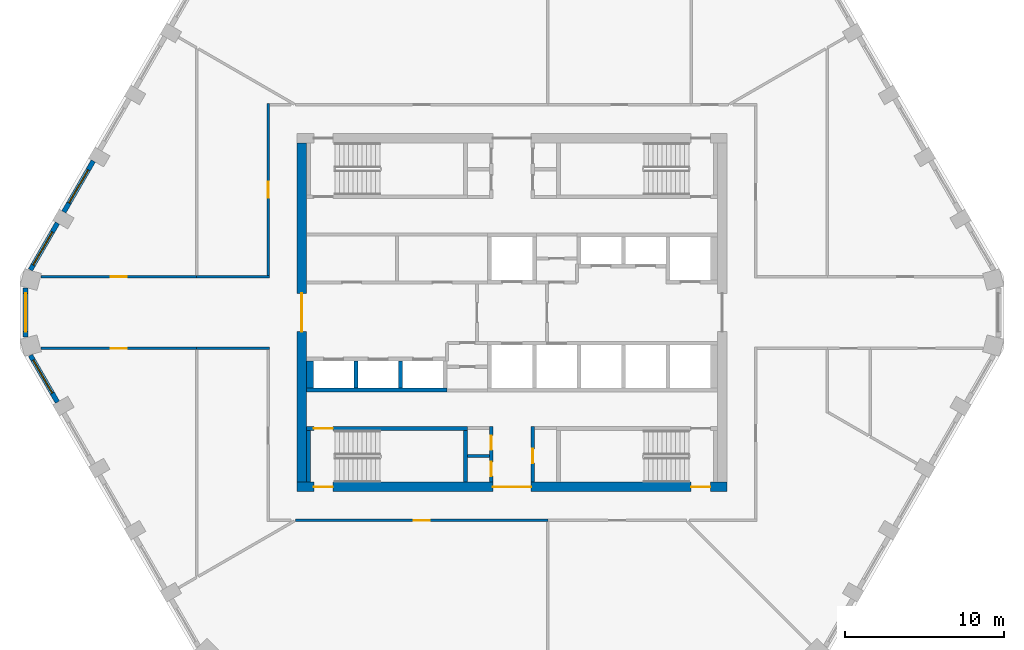
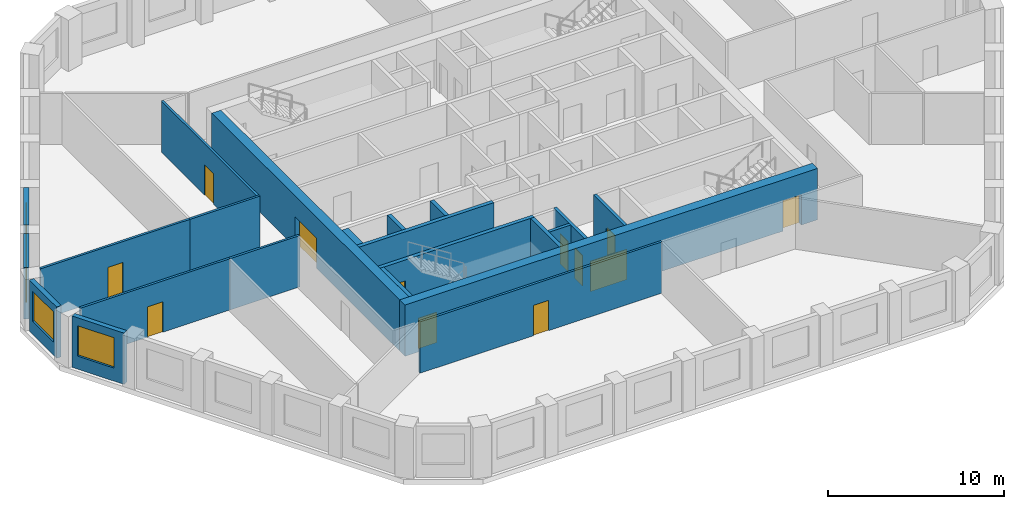
# One storey, part 2 of 8: 22 walls, 12 doors, 4 windows, 16 openings.
"""IFC4 building model written with IfcOpenShell, lengths in metres."""

from ifc_helpers import new_model, si_unit, direction, frame, frame_2d, origin, place, context, subcontext, project, spatial, polyline, rectangle, outline, extrude, material, layer, layer_set, type_object, element, fill, save


model = new_model("IFC4")

# Units and contexts
model_context = context("Model", 3, precision=1e-05, world=origin(), true_north=direction((0.0, 1.0)))
body_context = subcontext(model_context, "Body", "Model", "MODEL_VIEW")
ifc_project = project(units=[si_unit("LENGTHUNIT", "METRE"), si_unit("AREAUNIT", "SQUARE_METRE"), si_unit("VOLUMEUNIT", "CUBIC_METRE"), si_unit("PLANEANGLEUNIT", "RADIAN"), si_unit("MASSUNIT", "GRAM", prefix="KILO")], contexts=[model_context])

# Site, building, storey
site_placement = place(None, origin())
site = spatial("IfcSite", under=ifc_project, at=site_placement, CompositionType="ELEMENT")
building_placement = place(site_placement, origin())
building = spatial("IfcBuilding", under=site, at=building_placement, Name="Dhurran Vertical Campus", CompositionType="ELEMENT")
storey_placement = place(building_placement, frame((0.0, 0.0, 219.0)))
storey = spatial("IfcBuildingStorey", under=building, at=storey_placement, Name="L54", CompositionType="ELEMENT", Elevation=219.0)

# Wall, opening, window
ifc_material_1 = material(Name="Precast concrete C50/60", Category="concrete")
ifc_layer_1 = layer(ifc_material_1, 0.300048828125)
ifc_layer_set_1 = layer_set([ifc_layer_1], Name="Precast concrete C50/60")
wall_type_1 = type_object("IfcWallType", Name="Precast spandrel wall 300", PredefinedType="SOLIDWALL", material=ifc_layer_set_1)
wall_1_placement = place(storey_placement, frame((-26.294189453125, 9.5224609375, 0.0), z_axis=(0.0, 0.0, 1.0), x_axis=(-0.500029062817, -0.866008623709, 0.0)))
wall_1 = element("IfcWall", 1, at=wall_1_placement, inside=storey, type_object=wall_type_1, Name="EW1 L54.31", PredefinedType="SOLIDWALL", context=body_context, shape_type="SweptSolid", body=[
    extrude(rectangle(XDim=3.698974609375, YDim=0.300048828125, at=frame_2d((1.849609375, 0.0))), origin(), (0.0, 0.0, 1.0), 3.550048828125),
])
opening_1_placement = place(wall_1_placement, frame((0.6494140625, 0.0, 0.89990234375)))
opening_1 = element("IfcOpeningElement", 2, at=opening_1_placement, cuts=wall_1, Name="Opening WT1", PredefinedType="OPENING", context=body_context, shape_type="SweptSolid", body=[
    extrude(rectangle(XDim=2.39990234375, YDim=2.10009765625, at=frame_2d((1.199951171875, 1.050048828125))), frame((0.0, 0.159912109375, 0.0), z_axis=(0.0, -1.0, 0.0), x_axis=(1.0, 0.0, 0.0)), (0.0, 0.0, 1.0), 0.320068359375),
])
ifc_material_2 = material(Name="Aluminium frame with solar-control glass", Category="aluminium")
window_type = type_object("IfcWindowType", Name="Punched window 2400 x 2100", PartitioningType="SINGLE_PANEL", PredefinedType="WINDOW", material=ifc_material_2)
window_1_placement = place(opening_1_placement, origin())
window_1 = element("IfcWindow", 3, at=window_1_placement, inside=storey, type_object=window_type, Name="WT1 L54.31", OverallHeight=2.10009765625, OverallWidth=2.39990234375, PartitioningType="SINGLE_PANEL", PredefinedType="WINDOW", context=body_context, shape_type="SweptSolid", body=[
    extrude(rectangle(XDim=2.39990234375, YDim=2.10009765625, at=frame_2d((1.199951171875, 1.050048828125))), frame((0.0, 0.030029296875, 0.0), z_axis=(0.0, -1.0, 0.0), x_axis=(1.0, 0.0, 0.0)), (0.0, 0.0, 1.0), 0.06005859375),
])
fill(opening_1, window_1)

wall_2_placement = place(storey_placement, frame((-28.544189453125, 5.625244140625, 0.0), z_axis=(0.0, 0.0, 1.0), x_axis=(-0.500012868213, -0.866017974191, 0.0)))
wall_2 = element("IfcWall", 4, at=wall_2_placement, inside=storey, type_object=wall_type_1, Name="EW1 L54.32", PredefinedType="SOLIDWALL", context=body_context, shape_type="SweptSolid", body=[
    extrude(rectangle(XDim=3.39599609375, YDim=0.300048828125, at=frame_2d((1.697998046875, 0.0))), origin(), (0.0, 0.0, 1.0), 3.550048828125),
])
opening_2_placement = place(wall_2_placement, frame((0.6494140625, 0.0, 0.89990234375)))
opening_2 = element("IfcOpeningElement", 5, at=opening_2_placement, cuts=wall_2, Name="Opening WT1", PredefinedType="OPENING", context=body_context, shape_type="SweptSolid", body=[
    extrude(rectangle(XDim=2.39990234375, YDim=2.10009765625, at=frame_2d((1.199951171875, 1.050048828125))), frame((0.0, 0.159912109375, 0.0), z_axis=(0.0, -1.0, 0.0), x_axis=(1.0, 0.0, 0.0)), (0.0, 0.0, 1.0), 0.320068359375),
])
window_2_placement = place(opening_2_placement, origin())
window_2 = element("IfcWindow", 6, at=window_2_placement, inside=storey, type_object=window_type, Name="WT1 L54.32", OverallHeight=2.10009765625, OverallWidth=2.39990234375, PartitioningType="SINGLE_PANEL", PredefinedType="WINDOW", context=body_context, shape_type="SweptSolid", body=[
    extrude(rectangle(XDim=2.39990234375, YDim=2.10009765625, at=frame_2d((1.199951171875, 1.050048828125))), frame((0.0, 0.030029296875, 0.0), z_axis=(0.0, -1.0, 0.0), x_axis=(1.0, 0.0, 0.0)), (0.0, 0.0, 1.0), 0.06005859375),
])
fill(opening_2, window_2)

wall_3_placement = place(storey_placement, frame((-30.547119140625, 1.54638671875, 0.0), z_axis=(0.0, 0.0, 1.0), x_axis=(0.0, -1.0, 0.0)))
wall_3 = element("IfcWall", 7, at=wall_3_placement, inside=storey, type_object=wall_type_1, Name="EW1 L54.33", PredefinedType="SOLIDWALL", context=body_context, shape_type="SweptSolid", body=[
    extrude(rectangle(XDim=3.0927734375, YDim=0.300048828125, at=frame_2d((1.54638671875, 0.0))), origin(), (0.0, 0.0, 1.0), 3.550048828125),
])
opening_3_placement = place(wall_3_placement, frame((0.34619140625, 0.0, 0.89990234375)))
opening_3 = element("IfcOpeningElement", 8, at=opening_3_placement, cuts=wall_3, Name="Opening WT1", PredefinedType="OPENING", context=body_context, shape_type="SweptSolid", body=[
    extrude(rectangle(XDim=2.39990234375, YDim=2.10009765625, at=frame_2d((1.199951171875, 1.050048828125))), frame((0.0, 0.159912109375, 0.0), z_axis=(0.0, -1.0, 0.0), x_axis=(1.0, 0.0, 0.0)), (0.0, 0.0, 1.0), 0.320068359375),
])
window_3_placement = place(opening_3_placement, origin())
window_3 = element("IfcWindow", 9, at=window_3_placement, inside=storey, type_object=window_type, Name="WT1 L54.33", OverallHeight=2.10009765625, OverallWidth=2.39990234375, PartitioningType="SINGLE_PANEL", PredefinedType="WINDOW", context=body_context, shape_type="SweptSolid", body=[
    extrude(rectangle(XDim=2.39990234375, YDim=2.10009765625, at=frame_2d((1.199951171875, 1.050048828125))), frame((0.0, 0.030029296875, 0.0), z_axis=(0.0, -1.0, 0.0), x_axis=(1.0, 0.0, 0.0)), (0.0, 0.0, 1.0), 0.06005859375),
])
fill(opening_3, window_3)

wall_4_placement = place(storey_placement, frame((-30.2421875, -2.684326171875, 0.0), z_axis=(0.0, 0.0, 1.0), x_axis=(0.500012868213, -0.866017974191, 0.0)))
wall_4 = element("IfcWall", 10, at=wall_4_placement, inside=storey, type_object=wall_type_1, Name="EW1 L54.34", PredefinedType="SOLIDWALL", context=body_context, shape_type="SweptSolid", body=[
    extrude(rectangle(XDim=3.39599609375, YDim=0.300048828125, at=frame_2d((1.697998046875, 0.0))), origin(), (0.0, 0.0, 1.0), 3.550048828125),
])
opening_4_placement = place(wall_4_placement, frame((0.346435546875, 0.0, 0.89990234375)))
opening_4 = element("IfcOpeningElement", 11, at=opening_4_placement, cuts=wall_4, Name="Opening WT1", PredefinedType="OPENING", context=body_context, shape_type="SweptSolid", body=[
    extrude(rectangle(XDim=2.39990234375, YDim=2.10009765625, at=frame_2d((1.199951171875, 1.050048828125))), frame((0.0, 0.159912109375, 0.0), z_axis=(0.0, -1.0, 0.0), x_axis=(1.0, 0.0, 0.0)), (0.0, 0.0, 1.0), 0.320068359375),
])
window_4_placement = place(opening_4_placement, origin())
window_4 = element("IfcWindow", 12, at=window_4_placement, inside=storey, type_object=window_type, Name="WT1 L54.34", OverallHeight=2.10009765625, OverallWidth=2.39990234375, PartitioningType="SINGLE_PANEL", PredefinedType="WINDOW", context=body_context, shape_type="SweptSolid", body=[
    extrude(rectangle(XDim=2.39990234375, YDim=2.10009765625, at=frame_2d((1.199951171875, 1.050048828125))), frame((0.0, 0.030029296875, 0.0), z_axis=(0.0, -1.0, 0.0), x_axis=(1.0, 0.0, 0.0)), (0.0, 0.0, 1.0), 0.06005859375),
])
fill(opening_4, window_4)

# Wall, openings, doors
ifc_material_3 = material(Name="Concrete C50/60", Category="concrete")
ifc_layer_2 = layer(ifc_material_3, 0.60009765625)
ifc_layer_set_2 = layer_set([ifc_layer_2], Name="Concrete C50/60")
wall_type_2 = type_object("IfcWallType", Name="co-CORE-WALL-C2-600", PredefinedType="SHEAR", material=ifc_layer_set_2)
wall_5_placement = place(storey_placement, frame((-13.5, -10.949951171875, 0.0), z_axis=(0.0, 0.0, 1.0), x_axis=(1.0, 0.0, 0.0)))
wall_5 = element("IfcWall", 13, at=wall_5_placement, inside=storey, type_object=wall_type_2, Name="Core wall S L54", PredefinedType="SHEAR", context=body_context, shape_type="SweptSolid", body=[
    extrude(rectangle(XDim=27.0, YDim=0.60009765625, at=frame_2d((13.5, 0.0))), origin(), (0.0, 0.0, 1.0), 3.550048828125),
])
opening_5_placement = place(wall_5_placement, frame((12.300048828125, 0.0, 0.0)))
opening_5 = element("IfcOpeningElement", 14, at=opening_5_placement, cuts=wall_5, Name="Opening CV2", PredefinedType="OPENING", context=body_context, shape_type="SweptSolid", body=[
    extrude(rectangle(XDim=2.39990234375, YDim=2.10009765625, at=frame_2d((1.199951171875, 1.050048828125))), frame((0.0, 0.31005859375, 0.0), z_axis=(0.0, -1.0, 0.0), x_axis=(1.0, 0.0, 0.0)), (0.0, 0.0, 1.0), 0.6201171875),
])
opening_6_placement = place(wall_5_placement, frame((1.050048828125, 0.0, 0.0)))
opening_6 = element("IfcOpeningElement", 15, at=opening_6_placement, cuts=wall_5, Name="Opening XD3", PredefinedType="OPENING", context=body_context, shape_type="SweptSolid", body=[
    extrude(rectangle(XDim=1.199951171875, YDim=2.10009765625, at=frame_2d((0.60009765625, 1.050048828125))), frame((0.0, 0.31005859375, 0.0), z_axis=(0.0, -1.0, 0.0), x_axis=(1.0, 0.0, 0.0)), (0.0, 0.0, 1.0), 0.6201171875),
])
opening_7_placement = place(wall_5_placement, frame((24.75, 0.0, 0.0)))
opening_7 = element("IfcOpeningElement", 16, at=opening_7_placement, cuts=wall_5, Name="Opening XD4", PredefinedType="OPENING", context=body_context, shape_type="SweptSolid", body=[
    extrude(rectangle(XDim=1.199951171875, YDim=2.10009765625, at=frame_2d((0.60009765625, 1.050048828125))), frame((0.0, 0.31005859375, 0.0), z_axis=(0.0, -1.0, 0.0), x_axis=(1.0, 0.0, 0.0)), (0.0, 0.0, 1.0), 0.6201171875),
])
ifc_material_4 = material(Name="Fire-rated glazed door set")
door_type_1 = type_object("IfcDoorType", Name="co-D-LOBBY 2400x2100", OperationType="DOUBLE_DOOR_DOUBLE_SWING", PredefinedType="DOOR", material=ifc_material_4)
door_1_placement = place(opening_5_placement, origin())
door_1 = element("IfcDoor", 17, at=door_1_placement, inside=storey, type_object=door_type_1, Name="Core vestibule door S L54", OperationType="DOUBLE_DOOR_DOUBLE_SWING", OverallHeight=2.10009765625, OverallWidth=2.39990234375, PredefinedType="DOOR", context=body_context, shape_type="SweptSolid", body=[
    extrude(rectangle(XDim=2.39990234375, YDim=2.10009765625, at=frame_2d((1.199951171875, 1.050048828125))), frame((0.0, 0.02490234375, 0.0), z_axis=(0.0, -1.0, 0.0), x_axis=(1.0, 0.0, 0.0)), (0.0, 0.0, 1.0), 0.050048828125),
])
fill(opening_5, door_1)
ifc_material_5 = material(Name="Fire-rated steel door set", Category="steel")
door_type_2 = type_object("IfcDoorType", Name="co-D-STAIR-EXIT 1200x2100", OperationType="SINGLE_SWING_RIGHT", PredefinedType="DOOR", material=ifc_material_5)
door_2_placement = place(opening_6_placement, origin())
door_2 = element("IfcDoor", 18, at=door_2_placement, inside=storey, type_object=door_type_2, Name="Stair ST3 exit door L54", OperationType="SINGLE_SWING_RIGHT", OverallHeight=2.10009765625, OverallWidth=1.199951171875, PredefinedType="DOOR", context=body_context, shape_type="SweptSolid", body=[
    extrude(rectangle(XDim=1.199951171875, YDim=2.10009765625, at=frame_2d((0.60009765625, 1.050048828125))), frame((0.0, 0.02490234375, 0.0), z_axis=(0.0, -1.0, 0.0), x_axis=(1.0, 0.0, 0.0)), (0.0, 0.0, 1.0), 0.050048828125),
])
fill(opening_6, door_2)
door_3_placement = place(opening_7_placement, origin())
door_3 = element("IfcDoor", 19, at=door_3_placement, inside=storey, type_object=door_type_2, Name="Stair ST4 exit door L54", OperationType="SINGLE_SWING_RIGHT", OverallHeight=2.10009765625, OverallWidth=1.199951171875, PredefinedType="DOOR", context=body_context, shape_type="SweptSolid", body=[
    extrude(rectangle(XDim=1.199951171875, YDim=2.10009765625, at=frame_2d((0.60009765625, 1.050048828125))), frame((0.0, 0.02490234375, 0.0), z_axis=(0.0, -1.0, 0.0), x_axis=(1.0, 0.0, 0.0)), (0.0, 0.0, 1.0), 0.050048828125),
])
fill(opening_7, door_3)

# Wall, opening, door
wall_6_placement = place(storey_placement, frame((-13.199951171875, -10.64990234375, 0.0), z_axis=(0.0, 0.0, 1.0), x_axis=(0.0, 1.0, 0.0)))
wall_6 = element("IfcWall", 20, at=wall_6_placement, inside=storey, type_object=wall_type_2, Name="Core wall W L54", PredefinedType="SHEAR", context=body_context, shape_type="SweptSolid", body=[
    extrude(rectangle(XDim=21.2998046875, YDim=0.60009765625, at=frame_2d((10.64990234375, 0.0))), origin(), (0.0, 0.0, 1.0), 3.550048828125),
])
opening_8_placement = place(wall_6_placement, frame((9.449951171875, 0.0, 0.0)))
opening_8 = element("IfcOpeningElement", 21, at=opening_8_placement, cuts=wall_6, Name="Opening CL1", PredefinedType="OPENING", context=body_context, shape_type="SweptSolid", body=[
    extrude(rectangle(XDim=2.39990234375, YDim=2.10009765625, at=frame_2d((1.199951171875, 1.050048828125))), frame((0.0, 0.31005859375, 0.0), z_axis=(0.0, -1.0, 0.0), x_axis=(1.0, 0.0, 0.0)), (0.0, 0.0, 1.0), 0.6201171875),
])
door_4_placement = place(opening_8_placement, origin())
door_4 = element("IfcDoor", 22, at=door_4_placement, inside=storey, type_object=door_type_1, Name="Lift lobby door W L54", OperationType="DOUBLE_DOOR_DOUBLE_SWING", OverallHeight=2.10009765625, OverallWidth=2.39990234375, PredefinedType="DOOR", context=body_context, shape_type="SweptSolid", body=[
    extrude(rectangle(XDim=2.39990234375, YDim=2.10009765625, at=frame_2d((1.199951171875, 1.050048828125))), frame((0.0, 0.02490234375, 0.0), z_axis=(0.0, -1.0, 0.0), x_axis=(1.0, 0.0, 0.0)), (0.0, 0.0, 1.0), 0.050048828125),
])
fill(opening_8, door_4)

# Wall
ifc_material_6 = material(Name="Fire-rated masonry blockwork", Category="masonry")
ifc_layer_3 = layer(ifc_material_6, 0.199951171875)
ifc_layer_set_3 = layer_set([ifc_layer_3], Name="Fire-rated masonry blockwork")
wall_type_3 = type_object("IfcWallType", Name="co-FIRE-PARTITION-200", PredefinedType="PARTITIONING", material=ifc_layer_set_3)
wall_7_placement = place(storey_placement, frame((-2.800048828125, -9.0, 0.0), z_axis=(0.0, 0.0, 1.0), x_axis=(1.0, 0.0, 0.0)))
element("IfcWall", 23, at=wall_7_placement, inside=storey, type_object=wall_type_3, Name="Core partition sl-SW-cut0 L54", PredefinedType="PARTITIONING", context=body_context, shape_type="SweptSolid", body=[
    extrude(rectangle(XDim=1.400146484375, YDim=0.199951171875, at=frame_2d((0.7001953125, 0.0))), origin(), (0.0, 0.0, 1.0), 3.550048828125),
])

# Wall, openings, doors
wall_8_placement = place(storey_placement, frame((-1.300048828125, -10.64990234375, 0.0), z_axis=(0.0, 0.0, 1.0), x_axis=(0.0, 1.0, 0.0)))
wall_8 = element("IfcWall", 24, at=wall_8_placement, inside=storey, type_object=wall_type_3, Name="Core partition vest-SW L54", PredefinedType="PARTITIONING", context=body_context, shape_type="SweptSolid", body=[
    extrude(rectangle(XDim=3.5, YDim=0.199951171875, at=frame_2d((1.75, 0.0))), origin(), (0.0, 0.0, 1.0), 3.550048828125),
])
opening_9_placement = place(wall_8_placement, frame((0.375, 0.0, 0.0)))
opening_9 = element("IfcOpeningElement", 25, at=opening_9_placement, cuts=wall_8, Name="Opening T16-C1", PredefinedType="OPENING", context=body_context, shape_type="SweptSolid", body=[
    extrude(rectangle(XDim=0.89990234375, YDim=2.10009765625, at=frame_2d((0.449951171875, 1.050048828125))), frame((0.0, 0.10986328125, 0.0), z_axis=(0.0, -1.0, 0.0), x_axis=(1.0, 0.0, 0.0)), (0.0, 0.0, 1.0), 0.219970703125),
])
opening_10_placement = place(wall_8_placement, frame((2.02490234375, 0.0, 0.0)))
opening_10 = element("IfcOpeningElement", 26, at=opening_10_placement, cuts=wall_8, Name="Opening T16-C2", PredefinedType="OPENING", context=body_context, shape_type="SweptSolid", body=[
    extrude(rectangle(XDim=0.89990234375, YDim=2.10009765625, at=frame_2d((0.449951171875, 1.050048828125))), frame((0.0, 0.10986328125, 0.0), z_axis=(0.0, -1.0, 0.0), x_axis=(1.0, 0.0, 0.0)), (0.0, 0.0, 1.0), 0.219970703125),
])
ifc_material_7 = material(Name="Fire-rated timber door set", Category="wood")
door_type_3 = type_object("IfcDoorType", Name="co-D-ROOM 900x2100", OperationType="SINGLE_SWING_LEFT", PredefinedType="DOOR", material=ifc_material_7)
door_5_placement = place(opening_9_placement, origin())
door_5 = element("IfcDoor", 27, at=door_5_placement, inside=storey, type_object=door_type_3, Name="Store door L54", OperationType="SINGLE_SWING_LEFT", OverallHeight=2.10009765625, OverallWidth=0.89990234375, PredefinedType="DOOR", context=body_context, shape_type="SweptSolid", body=[
    extrude(rectangle(XDim=0.89990234375, YDim=2.10009765625, at=frame_2d((0.449951171875, 1.050048828125))), frame((0.0, 0.02490234375, 0.0), z_axis=(0.0, -1.0, 0.0), x_axis=(1.0, 0.0, 0.0)), (0.0, 0.0, 1.0), 0.050048828125),
])
fill(opening_9, door_5)
door_6_placement = place(opening_10_placement, origin())
door_6 = element("IfcDoor", 28, at=door_6_placement, inside=storey, type_object=door_type_3, Name="Communications room door L54", OperationType="SINGLE_SWING_LEFT", OverallHeight=2.10009765625, OverallWidth=0.89990234375, PredefinedType="DOOR", context=body_context, shape_type="SweptSolid", body=[
    extrude(rectangle(XDim=0.89990234375, YDim=2.10009765625, at=frame_2d((0.449951171875, 1.050048828125))), frame((0.0, 0.02490234375, 0.0), z_axis=(0.0, -1.0, 0.0), x_axis=(1.0, 0.0, 0.0)), (0.0, 0.0, 1.0), 0.050048828125),
])
fill(opening_10, door_6)

# Wall, opening, door
wall_9_placement = place(storey_placement, frame((1.300048828125, -10.64990234375, 0.0), z_axis=(0.0, 0.0, 1.0), x_axis=(0.0, 1.0, 0.0)))
wall_9 = element("IfcWall", 29, at=wall_9_placement, inside=storey, type_object=wall_type_3, Name="Core partition vest-SE L54", PredefinedType="PARTITIONING", context=body_context, shape_type="SweptSolid", body=[
    extrude(rectangle(XDim=3.5, YDim=0.199951171875, at=frame_2d((1.75, 0.0))), origin(), (0.0, 0.0, 1.0), 3.550048828125),
])
opening_11_placement = place(wall_9_placement, frame((1.199951171875, 0.0, 0.0)))
opening_11 = element("IfcOpeningElement", 30, at=opening_11_placement, cuts=wall_9, Name="Opening T16-C3", PredefinedType="OPENING", context=body_context, shape_type="SweptSolid", body=[
    extrude(rectangle(XDim=0.89990234375, YDim=2.10009765625, at=frame_2d((0.449951171875, 1.050048828125))), frame((0.0, 0.10986328125, 0.0), z_axis=(0.0, -1.0, 0.0), x_axis=(1.0, 0.0, 0.0)), (0.0, 0.0, 1.0), 0.219970703125),
])
door_7_placement = place(opening_11_placement, origin())
door_7 = element("IfcDoor", 31, at=door_7_placement, inside=storey, type_object=door_type_3, Name="Electrical riser door L54", OperationType="SINGLE_SWING_LEFT", OverallHeight=2.10009765625, OverallWidth=0.89990234375, PredefinedType="DOOR", context=body_context, shape_type="SweptSolid", body=[
    extrude(rectangle(XDim=0.89990234375, YDim=2.10009765625, at=frame_2d((0.449951171875, 1.050048828125))), frame((0.0, 0.02490234375, 0.0), z_axis=(0.0, -1.0, 0.0), x_axis=(1.0, 0.0, 0.0)), (0.0, 0.0, 1.0), 0.050048828125),
])
fill(opening_11, door_7)

# Walls
ifc_material_8 = material(Name="Concrete C50/60", Category="concrete")
ifc_layer_4 = layer(ifc_material_8, 0.25)
ifc_layer_set_4 = layer_set([ifc_layer_4], Name="Concrete C50/60")
wall_type_4 = type_object("IfcWallType", Name="co-SHAFT-MASS-250", PredefinedType="SHEAR", material=ifc_layer_set_4)
wall_10_placement = place(storey_placement, origin())
element("IfcWall", 32, at=wall_10_placement, inside=storey, type_object=wall_type_4, Name="Lift shaft wall S L54 1", PredefinedType="SHEAR", context=body_context, shape_type="SweptSolid", body=[
    extrude(outline(polyline([(-12.89990234375, -5.0), (-4.074951171875, -5.0), (-4.074951171875, -4.75), (-12.89990234375, -4.75), (-12.89990234375, -5.0)])), origin(), (0.0, 0.0, 1.0), 3.550048828125),
])
wall_11_placement = place(storey_placement, origin())
element("IfcWall", 33, at=wall_11_placement, inside=storey, type_object=wall_type_4, Name="Lift shaft wall S L54 3", PredefinedType="SHEAR", context=body_context, shape_type="SweptSolid", body=[
    extrude(outline(polyline([(-12.89990234375, -4.75), (-12.47509765625, -4.75), (-12.47509765625, -3.050048828125), (-12.89990234375, -3.050048828125), (-12.89990234375, -4.75)])), origin(), (0.0, 0.0, 1.0), 3.550048828125),
])
wall_12_placement = place(storey_placement, origin())
element("IfcWall", 34, at=wall_12_placement, inside=storey, type_object=wall_type_4, Name="Lift shaft wall S L54 4", PredefinedType="SHEAR", context=body_context, shape_type="SweptSolid", body=[
    extrude(outline(polyline([(-9.925048828125, -4.75), (-9.675048828125, -4.75), (-9.675048828125, -3.050048828125), (-9.925048828125, -3.050048828125), (-9.925048828125, -4.75)])), origin(), (0.0, 0.0, 1.0), 3.550048828125),
])
wall_13_placement = place(storey_placement, origin())
element("IfcWall", 35, at=wall_13_placement, inside=storey, type_object=wall_type_4, Name="Lift shaft wall S L54 5", PredefinedType="SHEAR", context=body_context, shape_type="SweptSolid", body=[
    extrude(outline(polyline([(-7.125, -4.75), (-6.875, -4.75), (-6.875, -3.050048828125), (-7.125, -3.050048828125), (-7.125, -4.75)])), origin(), (0.0, 0.0, 1.0), 3.550048828125),
])

# Wall, opening, door
ifc_material_9 = material(Name="Concrete C40/50", Category="concrete")
ifc_layer_5 = layer(ifc_material_9, 0.25)
ifc_layer_set_5 = layer_set([ifc_layer_5], Name="Concrete C40/50")
wall_type_5 = type_object("IfcWallType", Name="co-STAIR-WALL-250", PredefinedType="SHEAR", material=ifc_layer_set_5)
wall_14_placement = place(storey_placement, frame((-12.89990234375, -7.27490234375, 0.0), z_axis=(0.0, 0.0, 1.0), x_axis=(1.0, 0.0, 0.0)))
wall_14 = element("IfcWall", 36, at=wall_14_placement, inside=storey, type_object=wall_type_5, Name="Stair ST3 enclosure wall L54", PredefinedType="SHEAR", context=body_context, shape_type="SweptSolid", body=[
    extrude(rectangle(XDim=10.099853515625, YDim=0.25, at=frame_2d((5.0498046875, 0.0))), origin(), (0.0, 0.0, 1.0), 3.550048828125),
])
opening_12_placement = place(wall_14_placement, frame((0.449951171875, 0.0, 0.0)))
opening_12 = element("IfcOpeningElement", 37, at=opening_12_placement, cuts=wall_14, Name="Opening SD3", PredefinedType="OPENING", context=body_context, shape_type="SweptSolid", body=[
    extrude(rectangle(XDim=1.199951171875, YDim=2.10009765625, at=frame_2d((0.60009765625, 1.050048828125))), frame((0.0, 0.135009765625, 0.0), z_axis=(0.0, -1.0, 0.0), x_axis=(1.0, 0.0, 0.0)), (0.0, 0.0, 1.0), 0.27001953125),
])
ifc_material_10 = material(Name="Fire-rated steel door set", Category="steel")
door_type_4 = type_object("IfcDoorType", Name="co-D-STAIR 1200x2100", OperationType="SINGLE_SWING_LEFT", PredefinedType="DOOR", material=ifc_material_10)
door_8_placement = place(opening_12_placement, origin())
door_8 = element("IfcDoor", 38, at=door_8_placement, inside=storey, type_object=door_type_4, Name="Stair ST3 door L54", OperationType="SINGLE_SWING_LEFT", OverallHeight=2.10009765625, OverallWidth=1.199951171875, PredefinedType="DOOR", context=body_context, shape_type="SweptSolid", body=[
    extrude(rectangle(XDim=1.199951171875, YDim=2.10009765625, at=frame_2d((0.60009765625, 1.050048828125))), frame((0.0, 0.02490234375, 0.0), z_axis=(0.0, -1.0, 0.0), x_axis=(1.0, 0.0, 0.0)), (0.0, 0.0, 1.0), 0.050048828125),
])
fill(opening_12, door_8)

# Walls
for number, where, z_axis, x_axis, name in (
    (39, (-12.77490234375, -10.64990234375, 0.0), (0.0, 0.0, 1.0), (0.0, 1.0, 0.0), "Stair ST3 enclosure wall L54"),
    (40, (-2.925048828125, -10.64990234375, 0.0), (0.0, 0.0, 1.0), (0.0, 1.0, 0.0), "Stair ST3 enclosure wall L54"),
):
    element("IfcWall", number, at=place(storey_placement, frame(where, z_axis=z_axis, x_axis=x_axis)), inside=storey, type_object=wall_type_5, Name=name, PredefinedType="SHEAR", context=body_context, shape_type="SweptSolid", body=[
        extrude(rectangle(XDim=3.25, YDim=0.25, at=frame_2d((1.625, 0.0))), origin(), (0.0, 0.0, 1.0), 3.550048828125),
    ])

# Wall, opening, door
ifc_material_11 = material(Name="Gypsum board corridor wall on steel studs", Category="steel")
ifc_layer_6 = layer(ifc_material_11, 0.14990234375)
ifc_layer_set_6 = layer_set([ifc_layer_6], Name="Gypsum board corridor wall on steel studs")
wall_type_6 = type_object("IfcWallType", Name="fl-CW-150 corridor wall", PredefinedType="PARTITIONING", material=ifc_layer_set_6)
wall_15_placement = place(storey_placement, frame((-19.800048828125, -2.25, 0.0), z_axis=(0.0, 0.0, 1.0), x_axis=(-1.0, 0.0, 0.0)))
wall_15 = element("IfcWall", 41, at=wall_15_placement, inside=storey, type_object=wall_type_6, Name="Partition 54-01", PredefinedType="PARTITIONING", context=body_context, shape_type="SweptSolid", body=[
    extrude(rectangle(XDim=9.784912109375, YDim=0.14990234375, at=frame_2d((4.892578125, 0.0))), origin(), (0.0, 0.0, 1.0), 3.550048828125),
])
opening_13_placement = place(wall_15_placement, frame((4.392578125, 0.0, 0.0)))
opening_13 = element("IfcOpeningElement", 42, at=opening_13_placement, cuts=wall_15, Name="Opening T16.01", PredefinedType="OPENING", context=body_context, shape_type="SweptSolid", body=[
    extrude(rectangle(XDim=1.0, YDim=2.10009765625, at=frame_2d((0.5, 1.050048828125))), frame((0.0, 0.0849609375, 0.0), z_axis=(0.0, -1.0, 0.0), x_axis=(1.0, 0.0, 0.0)), (0.0, 0.0, 1.0), 0.169921875),
])
ifc_material_12 = material(Name="Solid-core timber door set, fire-rated", Category="wood")
door_type_5 = type_object("IfcDoorType", Name="fl-D-1000x2100", OperationType="SINGLE_SWING_LEFT", PredefinedType="DOOR", material=ifc_material_12)
door_9_placement = place(opening_13_placement, origin())
door_9 = element("IfcDoor", 43, at=door_9_placement, inside=storey, type_object=door_type_5, Name="Door 54.01", OperationType="SINGLE_SWING_RIGHT", OverallHeight=2.10009765625, OverallWidth=1.0, PredefinedType="DOOR", context=body_context, shape_type="SweptSolid", body=[
    extrude(rectangle(XDim=1.0, YDim=2.10009765625, at=frame_2d((0.5, 1.050048828125))), frame((0.0, 0.02490234375, 0.0), z_axis=(0.0, -1.0, 0.0), x_axis=(1.0, 0.0, 0.0)), (0.0, 0.0, 1.0), 0.050048828125),
])
fill(opening_13, door_9)

wall_16_placement = place(storey_placement, frame((-29.5849609375, 2.25, 0.0), z_axis=(0.0, 0.0, 1.0), x_axis=(1.0, 0.0, 0.0)))
wall_16 = element("IfcWall", 44, at=wall_16_placement, inside=storey, type_object=wall_type_6, Name="Partition 54-02", PredefinedType="PARTITIONING", context=body_context, shape_type="SweptSolid", body=[
    extrude(rectangle(XDim=9.784912109375, YDim=0.14990234375, at=frame_2d((4.892578125, 0.0))), origin(), (0.0, 0.0, 1.0), 3.550048828125),
])
opening_14_placement = place(wall_16_placement, frame((4.392578125, 0.0, 0.0)))
opening_14 = element("IfcOpeningElement", 45, at=opening_14_placement, cuts=wall_16, Name="Opening T16.02", PredefinedType="OPENING", context=body_context, shape_type="SweptSolid", body=[
    extrude(rectangle(XDim=1.0, YDim=2.10009765625, at=frame_2d((0.5, 1.050048828125))), frame((0.0, 0.0849609375, 0.0), z_axis=(0.0, -1.0, 0.0), x_axis=(1.0, 0.0, 0.0)), (0.0, 0.0, 1.0), 0.169921875),
])
door_10_placement = place(opening_14_placement, origin())
door_10 = element("IfcDoor", 46, at=door_10_placement, inside=storey, type_object=door_type_5, Name="Door 54.02", OperationType="SINGLE_SWING_LEFT", OverallHeight=2.10009765625, OverallWidth=1.0, PredefinedType="DOOR", context=body_context, shape_type="SweptSolid", body=[
    extrude(rectangle(XDim=1.0, YDim=2.10009765625, at=frame_2d((0.5, 1.050048828125))), frame((0.0, 0.02490234375, 0.0), z_axis=(0.0, -1.0, 0.0), x_axis=(1.0, 0.0, 0.0)), (0.0, 0.0, 1.0), 0.050048828125),
])
fill(opening_14, door_10)

# Walls
for number, where, z_axis, x_axis, name in (
    (47, (-15.22509765625, -2.25, 0.0), (0.0, 0.0, 1.0), (-1.0, 0.0, 0.0), "Partition 54-07"),
    (48, (-19.800048828125, 2.25, 0.0), (0.0, 0.0, 1.0), (1.0, 0.0, 0.0), "Partition 54-09"),
):
    element("IfcWall", number, at=place(storey_placement, frame(where, z_axis=z_axis, x_axis=x_axis)), inside=storey, type_object=wall_type_6, Name=name, PredefinedType="PARTITIONING", context=body_context, shape_type="SweptSolid", body=[
        extrude(rectangle(XDim=4.574951171875, YDim=0.14990234375, at=frame_2d((2.28759765625, 0.0))), origin(), (0.0, 0.0, 1.0), 3.550048828125),
    ])

# Wall, opening, door
wall_17_placement = place(storey_placement, frame((-15.300048828125, 13.125, 0.0), z_axis=(0.0, 0.0, 1.0), x_axis=(0.0, -1.0, 0.0)))
wall_17 = element("IfcWall", 49, at=wall_17_placement, inside=storey, type_object=wall_type_6, Name="Partition 54-13", PredefinedType="PARTITIONING", context=body_context, shape_type="SweptSolid", body=[
    extrude(rectangle(XDim=10.800048828125, YDim=0.14990234375, at=frame_2d((5.39990234375, 0.0))), origin(), (0.0, 0.0, 1.0), 3.550048828125),
])
opening_15_placement = place(wall_17_placement, frame((4.89990234375, 0.0, 0.0)))
opening_15 = element("IfcOpeningElement", 50, at=opening_15_placement, cuts=wall_17, Name="Opening T16.04", PredefinedType="OPENING", context=body_context, shape_type="SweptSolid", body=[
    extrude(rectangle(XDim=1.0, YDim=2.10009765625, at=frame_2d((0.5, 1.050048828125))), frame((0.0, 0.0849609375, 0.0), z_axis=(0.0, -1.0, 0.0), x_axis=(1.0, 0.0, 0.0)), (0.0, 0.0, 1.0), 0.169921875),
])
door_11_placement = place(opening_15_placement, origin())
door_11 = element("IfcDoor", 51, at=door_11_placement, inside=storey, type_object=door_type_5, Name="Door 54.04", OperationType="SINGLE_SWING_LEFT", OverallHeight=2.10009765625, OverallWidth=1.0, PredefinedType="DOOR", context=body_context, shape_type="SweptSolid", body=[
    extrude(rectangle(XDim=1.0, YDim=2.10009765625, at=frame_2d((0.5, 1.050048828125))), frame((0.0, 0.02490234375, 0.0), z_axis=(0.0, -1.0, 0.0), x_axis=(1.0, 0.0, 0.0)), (0.0, 0.0, 1.0), 0.050048828125),
])
fill(opening_15, door_11)

wall_18_placement = place(storey_placement, frame((-13.60302734375, -13.050048828125, 0.0), z_axis=(0.0, 0.0, 1.0), x_axis=(1.0, 0.0, 0.0)))
wall_18 = element("IfcWall", 52, at=wall_18_placement, inside=storey, type_object=wall_type_6, Name="Partition 54-15", PredefinedType="PARTITIONING", context=body_context, shape_type="SweptSolid", body=[
    extrude(rectangle(XDim=15.85302734375, YDim=0.14990234375, at=frame_2d((7.926513671875, 0.0))), origin(), (0.0, 0.0, 1.0), 3.550048828125),
])
opening_16_placement = place(wall_18_placement, frame((7.426513671875, 0.0, 0.0)))
opening_16 = element("IfcOpeningElement", 53, at=opening_16_placement, cuts=wall_18, Name="Opening T16.05", PredefinedType="OPENING", context=body_context, shape_type="SweptSolid", body=[
    extrude(rectangle(XDim=1.0, YDim=2.10009765625, at=frame_2d((0.5, 1.050048828125))), frame((0.0, 0.0849609375, 0.0), z_axis=(0.0, -1.0, 0.0), x_axis=(1.0, 0.0, 0.0)), (0.0, 0.0, 1.0), 0.169921875),
])
door_12_placement = place(opening_16_placement, origin())
door_12 = element("IfcDoor", 54, at=door_12_placement, inside=storey, type_object=door_type_5, Name="Door 54.05", OperationType="SINGLE_SWING_RIGHT", OverallHeight=2.10009765625, OverallWidth=1.0, PredefinedType="DOOR", context=body_context, shape_type="SweptSolid", body=[
    extrude(rectangle(XDim=1.0, YDim=2.10009765625, at=frame_2d((0.5, 1.050048828125))), frame((0.0, 0.02490234375, 0.0), z_axis=(0.0, -1.0, 0.0), x_axis=(1.0, 0.0, 0.0)), (0.0, 0.0, 1.0), 0.050048828125),
])
fill(opening_16, door_12)

save(model, "model.ifc")
